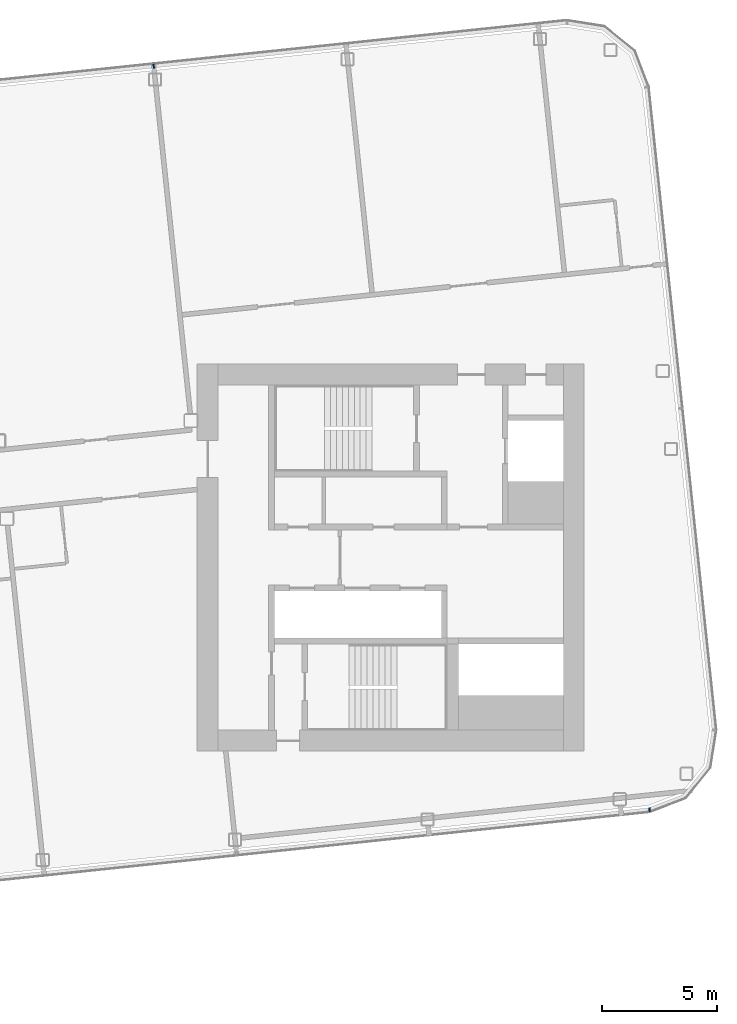
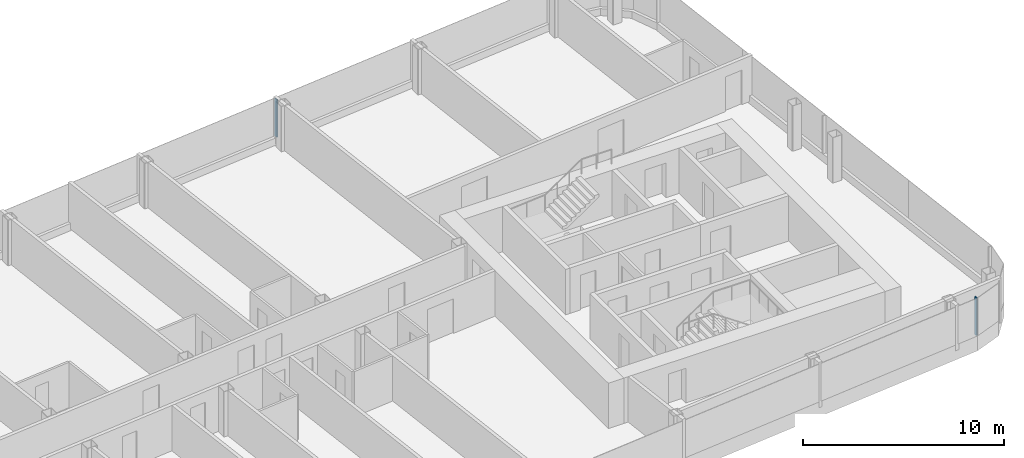
# One storey, part 11 of 27: 2 members, 2 elements without a shape of their own.
"""IFC4 building model written with IfcOpenShell, lengths in metres."""

from ifc_helpers import new_model, si_unit, direction, frame, origin, origin_2d, place, context, subcontext, project, spatial, rectangle, extrude, material, layer, layer_set, material_profile, profile_set, type_object, element, aggregate, save


model = new_model("IFC4")

# Units and contexts
model_context = context("Model", 3, precision=1e-05, world=origin(), true_north=direction((0.0, 1.0)))
body_context = subcontext(model_context, "Body", "Model", "MODEL_VIEW")
ifc_project = project(units=[si_unit("LENGTHUNIT", "METRE"), si_unit("AREAUNIT", "SQUARE_METRE"), si_unit("VOLUMEUNIT", "CUBIC_METRE"), si_unit("PLANEANGLEUNIT", "RADIAN"), si_unit("MASSUNIT", "GRAM", prefix="KILO")], contexts=[model_context])

# Site, building, storey
site_placement = place(None, origin())
site = spatial("IfcSite", under=ifc_project, at=site_placement, CompositionType="ELEMENT")
building_placement = place(site_placement, origin())
building = spatial("IfcBuilding", under=site, at=building_placement, Name="Hakoniwa Tower and Hamabe Station Hall", CompositionType="ELEMENT")
storey_placement = place(building_placement, frame((0.0, 0.0, 248.60009765625)))
storey = spatial("IfcBuildingStorey", under=building, at=storey_placement, Name="L70", CompositionType="ELEMENT", Elevation=248.60009765625)

# Curtain wall, member
ifc_material_1 = material(Name="Dark low-e laminated glass", Category="glass")
ifc_layer = layer(ifc_material_1, 0.199951171875)
ifc_layer_set = layer_set([ifc_layer], Name="CW-1 UNITISED GUEST")
curtain_wall_type = type_object("IfcCurtainWallType", Name="CW-1 UNITISED GUEST", PredefinedType="NOTDEFINED", material=ifc_layer_set)
curtain_wall_1_placement = place(storey_placement, origin())
curtain_wall_1 = element("IfcCurtainWall", 1, at=curtain_wall_1_placement, inside=storey, type_object=curtain_wall_type, Name="CW-1 curtain wall", PredefinedType="NOTDEFINED")
ifc_material_2 = material(Name="Aluminium 6063-T5 black anodised", Category="aluminium")
ifc_material_profile = material_profile(ifc_material_2, rectangle(XDim=0.06005859375, YDim=0.179931640625, at=origin_2d()), Name="CW-1 MULLION 60X180")
ifc_profile_set = profile_set([ifc_material_profile], Name="Aluminium 6063-T5 black anodised")
member_type = type_object("IfcMemberType", Name="CW-1 MULLION 60X180", PredefinedType="MULLION", material=ifc_profile_set)
member_1_placement = place(storey_placement, frame((14.911865234375, 21.343994140625, 0.349853515625), z_axis=(0.0, 0.0, 1.0), x_axis=(-0.994521895272, -0.104528464188, 0.0)))
member_1 = element("IfcMember", 2, at=member_1_placement, type_object=member_type, Name="CW-1 mullion", PredefinedType="MULLION", context=body_context, shape_type="SweptSolid", body=[
    extrude(rectangle(XDim=0.06005859375, YDim=0.179931640625, at=origin_2d()), origin(), (0.0, 0.0, 1.0), 2.300048828125),
])
aggregate(curtain_wall_1, [member_1])

curtain_wall_2_placement = place(storey_placement, origin())
curtain_wall_2 = element("IfcCurtainWall", 3, at=curtain_wall_2_placement, inside=storey, type_object=curtain_wall_type, Name="CW-1 curtain wall", PredefinedType="NOTDEFINED")
member_2_placement = place(storey_placement, frame((36.444580078125, -10.946044921875, 0.349853515625), z_axis=(0.0, 0.0, 1.0), x_axis=(0.994521895272, 0.104528464188, 0.0)))
member_2 = element("IfcMember", 4, at=member_2_placement, type_object=member_type, Name="CW-1 mullion", PredefinedType="MULLION", context=body_context, shape_type="SweptSolid", body=[
    extrude(rectangle(XDim=0.06005859375, YDim=0.179931640625, at=origin_2d()), origin(), (0.0, 0.0, 1.0), 2.300048828125),
])
aggregate(curtain_wall_2, [member_2])

save(model, "model.ifc")
